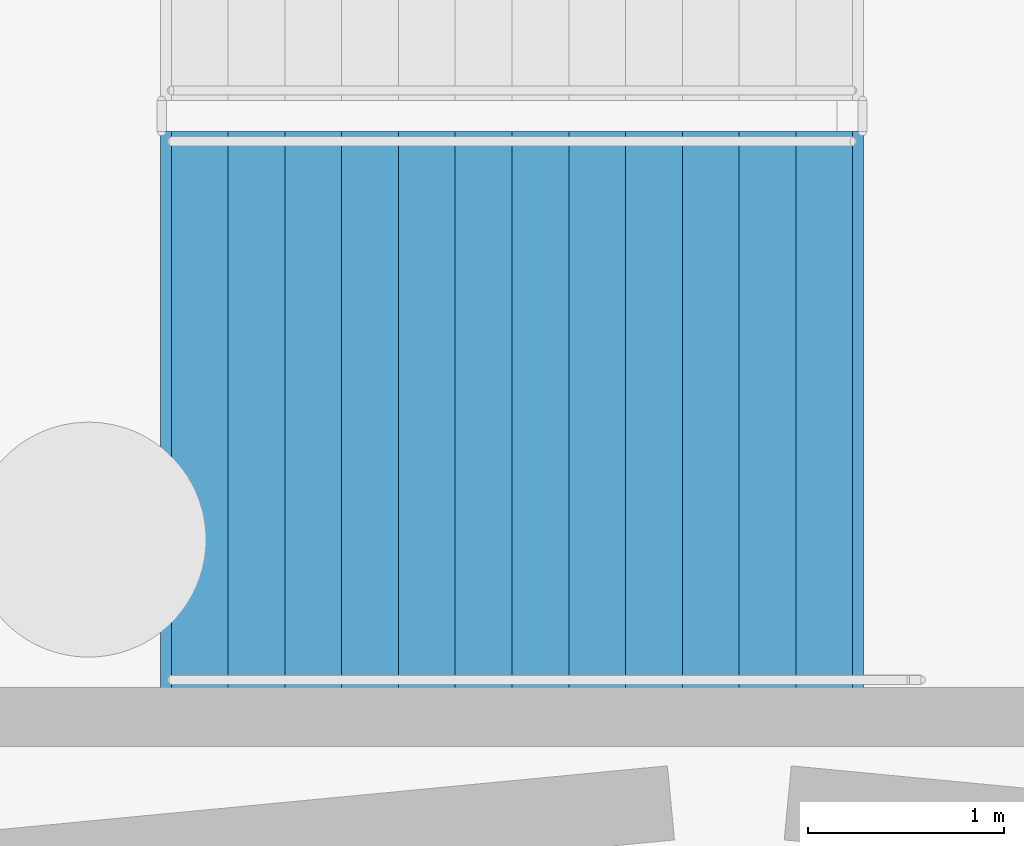
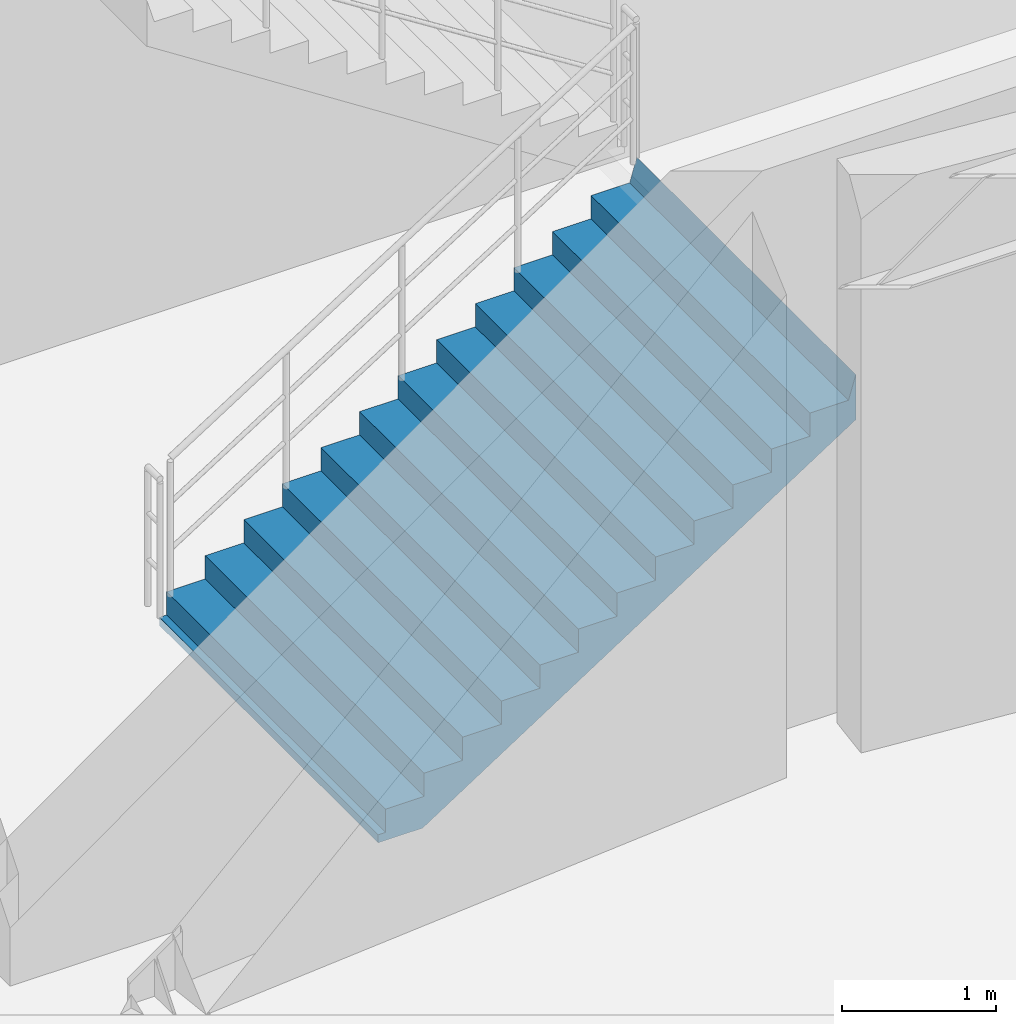
# One storey, part 50 of 68: 1 stair flight, 1 element without a shape of its own.
"""IFC4 building model written with IfcOpenShell, lengths in metres."""

from ifc_helpers import new_model, si_unit, direction, frame, origin, place, context, subcontext, project, spatial, polyline, outline, extrude, material, type_object, element, aggregate, save


model = new_model("IFC4")

# Units and contexts
model_context = context("Model", 3, precision=1e-05, world=origin(), true_north=direction((0.0, 1.0)))
body_context = subcontext(model_context, "Body", "Model", "MODEL_VIEW")
ifc_project = project(units=[si_unit("LENGTHUNIT", "METRE"), si_unit("AREAUNIT", "SQUARE_METRE"), si_unit("VOLUMEUNIT", "CUBIC_METRE"), si_unit("PLANEANGLEUNIT", "RADIAN"), si_unit("MASSUNIT", "GRAM", prefix="KILO")], contexts=[model_context])

# Site, building, storey
site_placement = place(None, origin())
site = spatial("IfcSite", under=ifc_project, at=site_placement, CompositionType="ELEMENT")
building_placement = place(site_placement, origin())
building = spatial("IfcBuilding", under=site, at=building_placement, Name="Cinderbank Siding Concert Hall", CompositionType="ELEMENT")
storey_placement = place(building_placement, frame((0.0, 0.0, -4.800048828125)))
storey = spatial("IfcBuildingStorey", under=building, at=storey_placement, Name="B1", CompositionType="ELEMENT", Elevation=-4.800048828125)

# Stair, stair flight
ifc_material = material(Name="Reinforced concrete AS 3600 N50 (50 MPa)", Category="concrete")
stair_type = type_object("IfcStairType", Name="STR-J Dogleg Exit Stair 2850mm", PredefinedType="HALF_TURN_STAIR", material=ifc_material)
stair_placement = place(storey_placement, origin())
stair = element("IfcStair", 1, at=stair_placement, inside=storey, type_object=stair_type, Name="B1 Fire-isolated Exit Stair ST-01", PredefinedType="HALF_TURN_STAIR")
stair_flight_type = type_object("IfcStairFlightType", Name="SFL-J Concrete Stair Flight 2850mm", PredefinedType="STRAIGHT", material=ifc_material)
stair_flight_placement = place(storey_placement, frame((119.14990234375, 60.175048828125, 0.0), z_axis=(0.0, 0.0, 1.0), x_axis=(1.0, 0.0, 0.0)))
stair_flight = element("IfcStairFlight", 2, at=stair_flight_placement, type_object=stair_flight_type, Name="ST-01 flight 1", NumberOfRisers=13, NumberOfTreads=12, PredefinedType="STRAIGHT", RiserHeight=0.184615385, TreadLength=0.29, context=body_context, shape_type="SweptSolid", body=[
    extrude(outline(polyline([(0.0, 0.0), (0.0, 0.1845703125), (0.2900390625, 0.1845703125), (0.2900390625, 0.369140625), (0.580078125, 0.369140625), (0.580078125, 0.553955078125), (0.8701171875, 0.553955078125), (0.8701171875, 0.738525390625), (1.159912109375, 0.738525390625), (1.159912109375, 0.923095703125), (1.449951171875, 0.923095703125), (1.449951171875, 1.107666015625), (1.739990234375, 1.107666015625), (1.739990234375, 1.292236328125), (2.030029296875, 1.292236328125), (2.030029296875, 1.476806640625), (2.320068359375, 1.476806640625), (2.320068359375, 1.66162109375), (2.610107421875, 1.66162109375), (2.610107421875, 1.84619140625), (2.89990234375, 1.84619140625), (2.89990234375, 2.03076171875), (3.18994140625, 2.03076171875), (3.18994140625, 2.21533203125), (3.47998046875, 2.21533203125), (3.534912109375, 2.39990234375), (3.534912109375, 2.03759765625), (3.53466796875, 2.037841796875), (3.53466796875, 2.0380859375), (3.53466796875, 2.038330078125), (3.53466796875, 2.03857421875), (3.53466796875, 2.038818359375), (3.53466796875, 2.0390625), (3.53466796875, 2.039306640625), (3.53466796875, 2.03955078125), (3.53466796875, 2.039794921875), (3.53466796875, 2.0400390625), (3.53466796875, 2.040283203125), (3.53466796875, 2.04052734375), (3.534423828125, 2.04052734375), (3.534423828125, 2.040283203125), (3.534423828125, 2.0400390625), (3.534423828125, 2.039794921875), (3.534423828125, 2.03955078125), (3.534423828125, 2.039306640625), (3.534423828125, 2.0390625), (3.534423828125, 2.038818359375), (3.534423828125, 2.03857421875), (3.534423828125, 2.038330078125), (3.534423828125, 2.0380859375), (3.534423828125, 2.037841796875), (3.534423828125, 2.03759765625), (3.5341796875, 2.037841796875), (3.5341796875, 2.0380859375), (3.5341796875, 2.038330078125), (3.5341796875, 2.03857421875), (3.5341796875, 2.038818359375), (3.5341796875, 2.0390625), (3.5341796875, 2.039306640625), (3.5341796875, 2.03955078125), (3.5341796875, 2.039794921875), (3.5341796875, 2.0400390625), (3.5341796875, 2.040283203125), (3.5341796875, 2.04052734375), (3.533935546875, 2.04052734375), (3.533935546875, 2.040283203125), (3.533935546875, 2.0400390625), (3.533935546875, 2.039794921875), (3.533935546875, 2.03955078125), (3.533935546875, 2.039306640625), (3.533935546875, 2.0390625), (3.533935546875, 2.038818359375), (3.533935546875, 2.03857421875), (3.533935546875, 2.038330078125), (3.533935546875, 2.0380859375), (3.533935546875, 2.037841796875), (3.533935546875, 2.03759765625), (3.53369140625, 2.037841796875), (3.53369140625, 2.0380859375), (3.53369140625, 2.038330078125), (3.53369140625, 2.03857421875), (3.53369140625, 2.038818359375), (3.53369140625, 2.0390625), (3.53369140625, 2.039306640625), (3.53369140625, 2.03955078125), (3.53369140625, 2.039794921875), (3.53369140625, 2.0400390625), (3.53369140625, 2.040283203125), (3.53369140625, 2.04052734375), (3.533447265625, 2.04052734375), (3.533447265625, 2.040283203125), (3.533447265625, 2.0400390625), (3.533447265625, 2.039794921875), (3.533447265625, 2.03955078125), (3.533447265625, 2.039306640625), (3.533447265625, 2.0390625), (3.533447265625, 2.038818359375), (3.533447265625, 2.03857421875), (3.533447265625, 2.038330078125), (3.533447265625, 2.0380859375), (3.533447265625, 2.037841796875), (3.533447265625, 2.03759765625), (3.533203125, 2.037841796875), (3.533203125, 2.0380859375), (3.533203125, 2.038330078125), (3.533203125, 2.03857421875), (3.533203125, 2.038818359375), (3.533203125, 2.0390625), (3.533203125, 2.039306640625), (3.533203125, 2.03955078125), (3.533203125, 2.039794921875), (3.533203125, 2.0400390625), (3.533203125, 2.040283203125), (3.533203125, 2.04052734375), (3.532958984375, 2.04052734375), (3.532958984375, 2.040283203125), (3.532958984375, 2.0400390625), (3.532958984375, 2.039794921875), (3.532958984375, 2.03955078125), (3.532958984375, 2.039306640625), (3.532958984375, 2.0390625), (3.532958984375, 2.038818359375), (3.532958984375, 2.03857421875), (3.532958984375, 2.038330078125), (3.532958984375, 2.0380859375), (3.532958984375, 2.037841796875), (3.532958984375, 2.03759765625), (3.53271484375, 2.037841796875), (3.53271484375, 2.0380859375), (3.53271484375, 2.038330078125), (3.53271484375, 2.03857421875), (3.53271484375, 2.038818359375), (3.53271484375, 2.0390625), (3.53271484375, 2.039306640625), (3.53271484375, 2.03955078125), (3.53271484375, 2.039794921875), (3.53271484375, 2.0400390625), (3.53271484375, 2.040283203125), (3.53271484375, 2.04052734375), (3.532470703125, 2.04052734375), (3.532470703125, 2.040283203125), (3.532470703125, 2.0400390625), (3.532470703125, 2.039794921875), (3.532470703125, 2.03955078125), (3.532470703125, 2.039306640625), (3.532470703125, 2.0390625), (3.532470703125, 2.038818359375), (3.532470703125, 2.03857421875), (3.532470703125, 2.038330078125), (3.532470703125, 2.0380859375), (3.532470703125, 2.037841796875), (3.532470703125, 2.03759765625), (3.5322265625, 2.037841796875), (3.5322265625, 2.0380859375), (3.5322265625, 2.038330078125), (3.5322265625, 2.03857421875), (3.5322265625, 2.038818359375), (3.5322265625, 2.0390625), (3.5322265625, 2.039306640625), (3.5322265625, 2.03955078125), (3.5322265625, 2.039794921875), (3.5322265625, 2.0400390625), (3.5322265625, 2.040283203125), (3.5322265625, 2.04052734375), (3.531982421875, 2.04052734375), (3.531982421875, 2.040283203125), (3.531982421875, 2.0400390625), (3.531982421875, 2.039794921875), (3.531982421875, 2.03955078125), (3.531982421875, 2.039306640625), (3.531982421875, 2.0390625), (3.531982421875, 2.038818359375), (3.531982421875, 2.03857421875), (3.531982421875, 2.038330078125), (3.531982421875, 2.0380859375), (3.531982421875, 2.037841796875), (3.531982421875, 2.03759765625), (3.53173828125, 2.037841796875), (3.53173828125, 2.0380859375), (3.53173828125, 2.038330078125), (3.53173828125, 2.03857421875), (3.53173828125, 2.038818359375), (3.53173828125, 2.0390625), (3.53173828125, 2.039306640625), (3.53173828125, 2.03955078125), (3.53173828125, 2.039794921875), (3.53173828125, 2.0400390625), (3.53173828125, 2.040283203125), (3.53173828125, 2.04052734375), (3.531494140625, 2.04052734375), (3.531494140625, 2.040283203125), (3.531494140625, 2.0400390625), (3.531494140625, 2.039794921875), (3.531494140625, 2.03955078125), (3.531494140625, 2.039306640625), (3.531494140625, 2.0390625), (3.531494140625, 2.038818359375), (3.531494140625, 2.03857421875), (3.531494140625, 2.038330078125), (3.531494140625, 2.0380859375), (3.531494140625, 2.037841796875), (3.531494140625, 2.03759765625), (3.53125, 2.037841796875), (3.53125, 2.0380859375), (3.53125, 2.038330078125), (3.53125, 2.03857421875), (3.53125, 2.038818359375), (3.53125, 2.0390625), (3.53125, 2.039306640625), (3.53125, 2.03955078125), (3.53125, 2.039794921875), (3.53125, 2.0400390625), (3.53125, 2.040283203125), (3.53125, 2.04052734375), (3.531005859375, 2.04052734375), (3.531005859375, 2.040283203125), (3.531005859375, 2.0400390625), (3.531005859375, 2.039794921875), (3.531005859375, 2.03955078125), (3.531005859375, 2.039306640625), (3.531005859375, 2.0390625), (3.531005859375, 2.038818359375), (3.531005859375, 2.03857421875), (3.531005859375, 2.038330078125), (3.531005859375, 2.0380859375), (3.531005859375, 2.037841796875), (3.531005859375, 2.03759765625), (3.53076171875, 2.037841796875), (3.53076171875, 2.0380859375), (3.53076171875, 2.038330078125), (3.53076171875, 2.03857421875), (3.53076171875, 2.038818359375), (3.53076171875, 2.0390625), (3.53076171875, 2.039306640625), (3.53076171875, 2.03955078125), (3.53076171875, 2.039794921875), (3.53076171875, 2.0400390625), (3.53076171875, 2.040283203125), (3.53076171875, 2.04052734375), (3.530517578125, 2.04052734375), (3.530517578125, 2.040283203125), (3.530517578125, 2.0400390625), (3.530517578125, 2.039794921875), (3.530517578125, 2.03955078125), (3.530517578125, 2.039306640625), (3.530517578125, 2.0390625), (3.530517578125, 2.038818359375), (3.530517578125, 2.03857421875), (3.530517578125, 2.038330078125), (3.530517578125, 2.0380859375), (3.530517578125, 2.037841796875), (3.530517578125, 2.03759765625), (3.5302734375, 2.037841796875), (3.5302734375, 2.0380859375), (3.5302734375, 2.038330078125), (3.5302734375, 2.03857421875), (3.5302734375, 2.038818359375), (3.5302734375, 2.0390625), (3.5302734375, 2.039306640625), (3.5302734375, 2.03955078125), (3.5302734375, 2.039794921875), (3.5302734375, 2.0400390625), (3.5302734375, 2.040283203125), (3.5302734375, 2.04052734375), (3.530029296875, 2.04052734375), (3.530029296875, 2.040283203125), (3.530029296875, 2.0400390625), (3.530029296875, 2.039794921875), (3.530029296875, 2.03955078125), (3.530029296875, 2.039306640625), (3.530029296875, 2.0390625), (3.530029296875, 2.038818359375), (3.530029296875, 2.03857421875), (3.530029296875, 2.038330078125), (3.530029296875, 2.0380859375), (3.530029296875, 2.037841796875), (3.530029296875, 2.03759765625), (3.52978515625, 2.037841796875), (3.52978515625, 2.0380859375), (3.52978515625, 2.038330078125), (3.52978515625, 2.03857421875), (3.52978515625, 2.038818359375), (3.52978515625, 2.0390625), (3.52978515625, 2.039306640625), (3.52978515625, 2.03955078125), (3.52978515625, 2.039794921875), (3.52978515625, 2.0400390625), (3.52978515625, 2.040283203125), (3.52978515625, 2.04052734375), (3.529541015625, 2.04052734375), (3.529541015625, 2.040283203125), (3.529541015625, 2.0400390625), (3.529541015625, 2.039794921875), (3.529541015625, 2.03955078125), (3.529541015625, 2.039306640625), (3.529541015625, 2.0390625), (3.529541015625, 2.038818359375), (3.529541015625, 2.03857421875), (3.529541015625, 2.038330078125), (3.529541015625, 2.0380859375), (3.529541015625, 2.037841796875), (3.529541015625, 2.03759765625), (3.529296875, 2.037841796875), (3.529296875, 2.0380859375), (3.529296875, 2.038330078125), (3.529296875, 2.03857421875), (3.529296875, 2.038818359375), (3.529296875, 2.0390625), (3.529296875, 2.039306640625), (3.529296875, 2.03955078125), (3.529296875, 2.039794921875), (3.529296875, 2.0400390625), (3.529296875, 2.040283203125), (3.529296875, 2.04052734375), (3.529052734375, 2.04052734375), (3.529052734375, 2.040283203125), (3.529052734375, 2.0400390625), (3.529052734375, 2.039794921875), (3.529052734375, 2.03955078125), (3.529052734375, 2.039306640625), (3.529052734375, 2.0390625), (3.529052734375, 2.038818359375), (3.529052734375, 2.03857421875), (3.529052734375, 2.038330078125), (3.529052734375, 2.0380859375), (3.529052734375, 2.037841796875), (3.529052734375, 2.03759765625), (3.52880859375, 2.037841796875), (3.52880859375, 2.0380859375), (3.52880859375, 2.038330078125), (3.52880859375, 2.03857421875), (3.52880859375, 2.038818359375), (3.52880859375, 2.0390625), (3.52880859375, 2.039306640625), (3.52880859375, 2.03955078125), (3.52880859375, 2.039794921875), (3.52880859375, 2.0400390625), (3.52880859375, 2.040283203125), (3.52880859375, 2.04052734375), (3.528564453125, 2.04052734375), (3.528564453125, 2.040283203125), (3.528564453125, 2.0400390625), (3.528564453125, 2.039794921875), (3.528564453125, 2.03955078125), (3.528564453125, 2.039306640625), (3.528564453125, 2.0390625), (3.528564453125, 2.038818359375), (3.528564453125, 2.03857421875), (3.528564453125, 2.038330078125), (3.528564453125, 2.0380859375), (3.528564453125, 2.037841796875), (3.528564453125, 2.03759765625), (0.279052734375, -0.06396484375), (-0.048583984375, -0.063720703125), (-0.048583984375, -0.0634765625), (-0.048583984375, -0.063232421875), (-0.048583984375, -0.06298828125), (-0.048583984375, -0.062744140625), (-0.048583984375, -0.0625), (-0.048583984375, -0.062255859375), (-0.048583984375, -0.06201171875), (-0.048583984375, -0.061767578125), (-0.048583984375, -0.0615234375), (-0.048583984375, -0.061279296875), (-0.048583984375, -0.06103515625), (-0.048828125, -0.06103515625), (-0.048828125, -0.061279296875), (-0.048828125, -0.0615234375), (-0.048828125, -0.061767578125), (-0.048828125, -0.06201171875), (-0.048828125, -0.062255859375), (-0.048828125, -0.0625), (-0.048828125, -0.062744140625), (-0.048828125, -0.06298828125), (-0.048828125, -0.063232421875), (-0.048828125, -0.0634765625), (-0.048828125, -0.063720703125), (-0.048828125, -0.06396484375), (-0.049072265625, -0.063720703125), (-0.049072265625, -0.0634765625), (-0.049072265625, -0.063232421875), (-0.049072265625, -0.06298828125), (-0.049072265625, -0.062744140625), (-0.049072265625, -0.0625), (-0.049072265625, -0.062255859375), (-0.049072265625, -0.06201171875), (-0.049072265625, -0.061767578125), (-0.049072265625, -0.0615234375), (-0.049072265625, -0.061279296875), (-0.049072265625, -0.06103515625), (-0.04931640625, -0.06103515625), (-0.04931640625, -0.061279296875), (-0.04931640625, -0.0615234375), (-0.04931640625, -0.061767578125), (-0.04931640625, -0.06201171875), (-0.04931640625, -0.062255859375), (-0.04931640625, -0.0625), (-0.04931640625, -0.062744140625), (-0.04931640625, -0.06298828125), (-0.04931640625, -0.063232421875), (-0.04931640625, -0.0634765625), (-0.04931640625, -0.063720703125), (-0.04931640625, -0.06396484375), (-0.049560546875, -0.063720703125), (-0.049560546875, -0.0634765625), (-0.049560546875, -0.063232421875), (-0.049560546875, -0.06298828125), (-0.049560546875, -0.062744140625), (-0.049560546875, -0.0625), (-0.049560546875, -0.062255859375), (-0.049560546875, -0.06201171875), (-0.049560546875, -0.061767578125), (-0.049560546875, -0.0615234375), (-0.049560546875, -0.061279296875), (-0.049560546875, -0.06103515625), (-0.0498046875, -0.06103515625), (-0.0498046875, -0.061279296875), (-0.0498046875, -0.0615234375), (-0.0498046875, -0.061767578125), (-0.0498046875, -0.06201171875), (-0.0498046875, -0.062255859375), (-0.0498046875, -0.0625), (-0.0498046875, -0.062744140625), (-0.0498046875, -0.06298828125), (-0.0498046875, -0.063232421875), (-0.0498046875, -0.0634765625), (-0.0498046875, -0.063720703125), (-0.0498046875, -0.06396484375), (-0.050048828125, -0.063720703125), (-0.050048828125, -0.0634765625), (-0.050048828125, -0.063232421875), (-0.050048828125, -0.06298828125), (-0.050048828125, -0.062744140625), (-0.050048828125, -0.0625), (-0.050048828125, -0.062255859375), (-0.050048828125, -0.06201171875), (-0.050048828125, -0.061767578125), (-0.050048828125, -0.0615234375), (-0.050048828125, -0.061279296875), (-0.050048828125, -0.06103515625), (-0.05029296875, -0.06103515625), (-0.05029296875, -0.061279296875), (-0.05029296875, -0.0615234375), (-0.05029296875, -0.061767578125), (-0.05029296875, -0.06201171875), (-0.05029296875, -0.062255859375), (-0.05029296875, -0.0625), (-0.05029296875, -0.062744140625), (-0.05029296875, -0.06298828125), (-0.05029296875, -0.063232421875), (-0.05029296875, -0.0634765625), (-0.05029296875, -0.063720703125), (-0.05029296875, -0.06396484375), (-0.050537109375, -0.063720703125), (-0.050537109375, -0.0634765625), (-0.050537109375, -0.063232421875), (-0.050537109375, -0.06298828125), (-0.050537109375, -0.062744140625), (-0.050537109375, -0.0625), (-0.050537109375, -0.062255859375), (-0.050537109375, -0.06201171875), (-0.050537109375, -0.061767578125), (-0.050537109375, -0.0615234375), (-0.050537109375, -0.061279296875), (-0.050537109375, -0.06103515625), (-0.05078125, -0.06103515625), (-0.05078125, -0.061279296875), (-0.05078125, -0.0615234375), (-0.05078125, -0.061767578125), (-0.05078125, -0.06201171875), (-0.05078125, -0.062255859375), (-0.05078125, -0.0625), (-0.05078125, -0.062744140625), (-0.05078125, -0.06298828125), (-0.05078125, -0.063232421875), (-0.05078125, -0.0634765625), (-0.05078125, -0.063720703125), (-0.05078125, -0.06396484375), (-0.051025390625, -0.063720703125), (-0.051025390625, -0.0634765625), (-0.051025390625, -0.063232421875), (-0.051025390625, -0.06298828125), (-0.051025390625, -0.062744140625), (-0.051025390625, -0.0625), (-0.051025390625, -0.062255859375), (-0.051025390625, -0.06201171875), (-0.051025390625, -0.061767578125), (-0.051025390625, -0.0615234375), (-0.051025390625, -0.061279296875), (-0.051025390625, -0.06103515625), (-0.05126953125, -0.06103515625), (-0.05126953125, -0.061279296875), (-0.05126953125, -0.0615234375), (-0.05126953125, -0.061767578125), (-0.05126953125, -0.06201171875), (-0.05126953125, -0.062255859375), (-0.05126953125, -0.0625), (-0.05126953125, -0.062744140625), (-0.05126953125, -0.06298828125), (-0.05126953125, -0.063232421875), (-0.05126953125, -0.0634765625), (-0.05126953125, -0.063720703125), (-0.05126953125, -0.06396484375), (-0.051513671875, -0.063720703125), (-0.051513671875, -0.0634765625), (-0.051513671875, -0.063232421875), (-0.051513671875, -0.06298828125), (-0.051513671875, -0.062744140625), (-0.051513671875, -0.0625), (-0.051513671875, -0.062255859375), (-0.051513671875, -0.06201171875), (-0.051513671875, -0.061767578125), (-0.051513671875, -0.0615234375), (-0.051513671875, -0.061279296875), (-0.051513671875, -0.06103515625), (-0.0517578125, -0.06103515625), (-0.0517578125, -0.061279296875), (-0.0517578125, -0.0615234375), (-0.0517578125, -0.061767578125), (-0.0517578125, -0.06201171875), (-0.0517578125, -0.062255859375), (-0.0517578125, -0.0625), (-0.0517578125, -0.062744140625), (-0.0517578125, -0.06298828125), (-0.0517578125, -0.063232421875), (-0.0517578125, -0.0634765625), (-0.0517578125, -0.063720703125), (-0.0517578125, -0.06396484375), (-0.052001953125, -0.063720703125), (-0.052001953125, -0.0634765625), (-0.052001953125, -0.063232421875), (-0.052001953125, -0.06298828125), (-0.052001953125, -0.062744140625), (-0.052001953125, -0.0625), (-0.052001953125, -0.062255859375), (-0.052001953125, -0.06201171875), (-0.052001953125, -0.061767578125), (-0.052001953125, -0.0615234375), (-0.052001953125, -0.061279296875), (-0.052001953125, -0.06103515625), (-0.05224609375, -0.06103515625), (-0.05224609375, -0.061279296875), (-0.05224609375, -0.0615234375), (-0.05224609375, -0.061767578125), (-0.05224609375, -0.06201171875), (-0.05224609375, -0.062255859375), (-0.05224609375, -0.0625), (-0.05224609375, -0.062744140625), (-0.05224609375, -0.06298828125), (-0.05224609375, -0.063232421875), (-0.05224609375, -0.0634765625), (-0.05224609375, -0.063720703125), (-0.05224609375, -0.06396484375), (-0.052490234375, -0.063720703125), (-0.052490234375, -0.0634765625), (-0.052490234375, -0.063232421875), (-0.052490234375, -0.06298828125), (-0.052490234375, -0.062744140625), (-0.052490234375, -0.0625), (-0.052490234375, -0.062255859375), (-0.052490234375, -0.06201171875), (-0.052490234375, -0.061767578125), (-0.052490234375, -0.0615234375), (-0.052490234375, -0.061279296875), (-0.052490234375, -0.06103515625), (-0.052734375, -0.06103515625), (-0.052734375, -0.061279296875), (-0.052734375, -0.0615234375), (-0.052734375, -0.061767578125), (-0.052734375, -0.06201171875), (-0.052734375, -0.062255859375), (-0.052734375, -0.0625), (-0.052734375, -0.062744140625), (-0.052734375, -0.06298828125), (-0.052734375, -0.063232421875), (-0.052734375, -0.0634765625), (-0.052734375, -0.063720703125), (-0.052734375, -0.06396484375), (-0.052978515625, -0.063720703125), (-0.052978515625, -0.0634765625), (-0.052978515625, -0.063232421875), (-0.052978515625, -0.06298828125), (-0.052978515625, -0.062744140625), (-0.052978515625, -0.0625), (-0.052978515625, -0.062255859375), (-0.052978515625, -0.06201171875), (-0.052978515625, -0.061767578125), (-0.052978515625, -0.0615234375), (-0.052978515625, -0.061279296875), (-0.052978515625, -0.06103515625), (-0.05322265625, -0.06103515625), (-0.05322265625, -0.061279296875), (-0.05322265625, -0.0615234375), (-0.05322265625, -0.061767578125), (-0.05322265625, -0.06201171875), (-0.05322265625, -0.062255859375), (-0.05322265625, -0.0625), (-0.05322265625, -0.062744140625), (-0.05322265625, -0.06298828125), (-0.05322265625, -0.063232421875), (-0.05322265625, -0.0634765625), (-0.05322265625, -0.063720703125), (-0.05322265625, -0.06396484375), (-0.053466796875, -0.063720703125), (-0.053466796875, -0.0634765625), (-0.053466796875, -0.063232421875), (-0.053466796875, -0.06298828125), (-0.053466796875, -0.062744140625), (-0.053466796875, -0.0625), (-0.053466796875, -0.062255859375), (-0.053466796875, -0.06201171875), (-0.053466796875, -0.061767578125), (-0.053466796875, -0.0615234375), (-0.053466796875, -0.061279296875), (-0.053466796875, -0.06103515625), (-0.0537109375, -0.06103515625), (-0.0537109375, -0.061279296875), (-0.0537109375, -0.0615234375), (-0.0537109375, -0.061767578125), (-0.0537109375, -0.06201171875), (-0.0537109375, -0.062255859375), (-0.0537109375, -0.0625), (-0.0537109375, -0.062744140625), (-0.0537109375, -0.06298828125), (-0.0537109375, -0.063232421875), (-0.0537109375, -0.0634765625), (-0.0537109375, -0.063720703125), (-0.0537109375, -0.06396484375), (-0.053955078125, -0.063720703125), (-0.053955078125, -0.0634765625), (-0.053955078125, -0.063232421875), (-0.053955078125, -0.06298828125), (-0.053955078125, -0.062744140625), (-0.053955078125, -0.0625), (-0.053955078125, -0.062255859375), (-0.053955078125, -0.06201171875), (-0.053955078125, -0.061767578125), (-0.053955078125, -0.0615234375), (-0.053955078125, -0.061279296875), (-0.053955078125, -0.06103515625), (-0.05419921875, -0.06103515625), (-0.05419921875, -0.061279296875), (-0.05419921875, -0.0615234375), (-0.05419921875, -0.061767578125), (-0.05419921875, -0.06201171875), (-0.05419921875, -0.062255859375), (-0.05419921875, -0.0625), (-0.05419921875, -0.062744140625), (-0.05419921875, -0.06298828125), (-0.05419921875, -0.063232421875), (-0.05419921875, -0.0634765625), (-0.05419921875, -0.063720703125), (-0.05419921875, -0.06396484375), (-0.054443359375, -0.063720703125), (-0.054443359375, -0.0634765625), (-0.054443359375, -0.063232421875), (-0.054443359375, -0.06298828125), (-0.054443359375, -0.062744140625), (-0.054443359375, -0.0625), (-0.054443359375, -0.062255859375), (-0.054443359375, -0.06201171875), (-0.054443359375, -0.061767578125), (-0.054443359375, -0.0615234375), (-0.054443359375, -0.061279296875), (-0.054443359375, -0.06103515625), (-0.0546875, -0.06103515625), (-0.0546875, -0.061279296875), (-0.0546875, -0.0615234375), (-0.0546875, -0.061767578125), (-0.0546875, -0.06201171875), (-0.0546875, -0.062255859375), (-0.0546875, -0.0625), (-0.0546875, -0.062744140625), (-0.0546875, -0.06298828125), (-0.0546875, -0.063232421875), (-0.0546875, -0.0634765625), (-0.0546875, -0.063720703125), (-0.0546875, -0.06396484375), (-0.054931640625, -0.06396484375), (-0.054931640625, 0.0), (0.0, 0.0)])), frame((0.0, 1.425048828125, 0.0), z_axis=(0.0, -1.0, 0.0), x_axis=(1.0, 0.0, 0.0)), (0.0, 0.0, 1.0), 2.85009765625),
])
aggregate(stair, [stair_flight])

save(model, "model.ifc")
